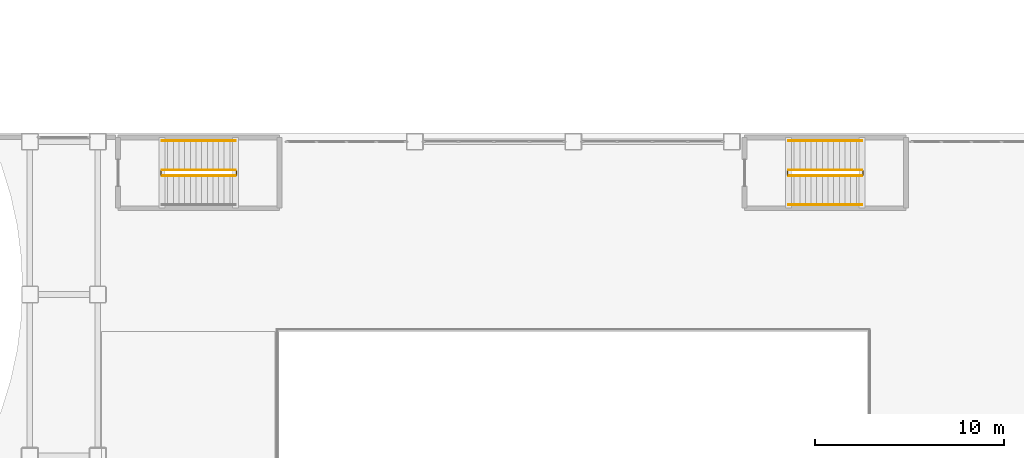
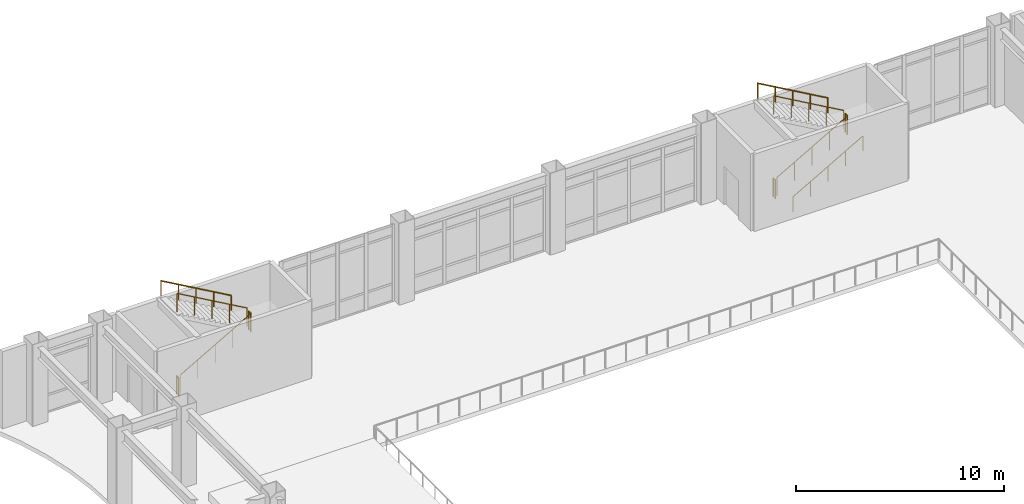
# One storey, part 162 of 172: 11 railings.
"""IFC4 building model written with IfcOpenShell, lengths in metres."""

from ifc_helpers import new_model, si_unit, direction, frame, origin, origin_2d, place, context, subcontext, project, spatial, circle, extrude, material, type_object, element, save


model = new_model("IFC4")

# Units and contexts
model_context = context("Model", 3, precision=1e-05, world=origin(), true_north=direction((0.0, 1.0)))
body_context = subcontext(model_context, "Body", "Model", "MODEL_VIEW")
ifc_project = project(units=[si_unit("LENGTHUNIT", "METRE"), si_unit("AREAUNIT", "SQUARE_METRE"), si_unit("VOLUMEUNIT", "CUBIC_METRE"), si_unit("PLANEANGLEUNIT", "RADIAN"), si_unit("MASSUNIT", "GRAM", prefix="KILO")], contexts=[model_context])

# Site, building, storey
site_placement = place(None, origin())
site = spatial("IfcSite", under=ifc_project, at=site_placement, CompositionType="ELEMENT")
building_placement = place(site_placement, origin())
building = spatial("IfcBuilding", under=site, at=building_placement, Name="Kazehara Bluff Congress Hotel", CompositionType="ELEMENT")
storey_placement = place(building_placement, frame((0.0, 0.0, 5.39990234375)))
storey = spatial("IfcBuildingStorey", under=building, at=storey_placement, Name="L01", CompositionType="ELEMENT", Elevation=5.39990234375)

# Railings
ifc_material_1 = material(Name="Brushed stainless steel", Category="steel")
railing_type_1 = type_object("IfcRailingType", Name="TP-GRD-INT", PredefinedType="GUARDRAIL", material=ifc_material_1)
railing_1_placement = place(storey_placement, frame((11.800048828125, 111.75, 0.171630859375)))
element("IfcRailing", 1, at=railing_1_placement, inside=storey, type_object=railing_type_1, Name="L01 ST-01 stair guard 1", PredefinedType="GUARDRAIL", context=body_context, shape_type="SweptSolid", body=[
    extrude(circle(Radius=0.02392578125, at=origin_2d()), frame((0.0, 0.0, 1.076171875), z_axis=(0.868243142124, 0.0, 0.496138938357), x_axis=(0.0, 1.0, 0.0)), (0.0, 0.0, 1.0), 4.49169921875),
    extrude(circle(Radius=0.02099609375, at=origin_2d()), origin(), (0.0, 0.0, 1.0), 1.052001953125),
    extrude(circle(Radius=0.02099609375, at=origin_2d()), frame((0.97509765625, 0.0, 0.55712890625)), (0.0, 0.0, 1.0), 1.052001953125),
    extrude(circle(Radius=0.02099609375, at=origin_2d()), frame((1.949951171875, 0.0, 1.1142578125)), (0.0, 0.0, 1.0), 1.052001953125),
    extrude(circle(Radius=0.02099609375, at=origin_2d()), frame((2.9248046875, 0.0, 1.67138671875)), (0.0, 0.0, 1.0), 1.052001953125),
    extrude(circle(Radius=0.02099609375, at=origin_2d()), frame((3.89990234375, 0.0, 2.228515625)), (0.0, 0.0, 1.0), 1.052001953125),
])
railing_2_placement = place(storey_placement, frame((15.75, 111.800048828125, 2.400146484375)))
element("IfcRailing", 2, at=railing_2_placement, inside=storey, type_object=railing_type_1, Name="L01 ST-01 stair guard 2", PredefinedType="GUARDRAIL", context=body_context, shape_type="SweptSolid", body=[
    extrude(circle(Radius=0.02392578125, at=origin_2d()), frame((0.0, 0.0, 1.076171875), z_axis=(0.0, 1.0, 0.0), x_axis=(-1.0, 0.0, 0.0)), (0.0, 0.0, 1.0), 0.199951171875),
    extrude(circle(Radius=0.02099609375, at=origin_2d()), origin(), (0.0, 0.0, 1.0), 1.052001953125),
    extrude(circle(Radius=0.02099609375, at=origin_2d()), frame((0.0, 0.199951171875, 0.0)), (0.0, 0.0, 1.0), 1.052001953125),
])
railing_3_placement = place(storey_placement, frame((15.699951171875, 112.050048828125, 2.571533203125)))
element("IfcRailing", 3, at=railing_3_placement, inside=storey, type_object=railing_type_1, Name="L01 ST-01 stair guard 3", PredefinedType="GUARDRAIL", context=body_context, shape_type="SweptSolid", body=[
    extrude(circle(Radius=0.02392578125, at=origin_2d()), frame((0.0, 0.0, 1.076171875), z_axis=(-0.868243142124, 0.0, 0.496138938357), x_axis=(0.0, -1.0, 0.0)), (0.0, 0.0, 1.0), 4.49169921875),
    extrude(circle(Radius=0.02099609375, at=origin_2d()), origin(), (0.0, 0.0, 1.0), 1.052001953125),
    extrude(circle(Radius=0.02099609375, at=origin_2d()), frame((-0.97509765625, 0.0, 0.55712890625)), (0.0, 0.0, 1.0), 1.052001953125),
    extrude(circle(Radius=0.02099609375, at=origin_2d()), frame((-1.949951171875, 0.0, 1.1142578125)), (0.0, 0.0, 1.0), 1.052001953125),
    extrude(circle(Radius=0.02099609375, at=origin_2d()), frame((-2.9248046875, 0.0, 1.67138671875)), (0.0, 0.0, 1.0), 1.052001953125),
    extrude(circle(Radius=0.02099609375, at=origin_2d()), frame((-3.89990234375, 0.0, 2.228515625)), (0.0, 0.0, 1.0), 1.052001953125),
])
railing_4_placement = place(storey_placement, frame((11.75, 111.800048828125, 0.0)))
element("IfcRailing", 4, at=railing_4_placement, inside=storey, type_object=railing_type_1, Name="L01 ST-01 stair guard 4", PredefinedType="GUARDRAIL", context=body_context, shape_type="SweptSolid", body=[
    extrude(circle(Radius=0.02392578125, at=origin_2d()), frame((0.0, 0.0, 1.076171875), z_axis=(0.0, 1.0, 0.0), x_axis=(-1.0, 0.0, 0.0)), (0.0, 0.0, 1.0), 0.199951171875),
    extrude(circle(Radius=0.02099609375, at=origin_2d()), origin(), (0.0, 0.0, 1.0), 1.052001953125),
    extrude(circle(Radius=0.02099609375, at=origin_2d()), frame((0.0, 0.199951171875, 0.0)), (0.0, 0.0, 1.0), 1.052001953125),
])
railing_5_placement = place(storey_placement, frame((45.0, 111.75, 0.171630859375)))
element("IfcRailing", 5, at=railing_5_placement, inside=storey, type_object=railing_type_1, Name="L01 ST-02 stair guard 1", PredefinedType="GUARDRAIL", context=body_context, shape_type="SweptSolid", body=[
    extrude(circle(Radius=0.02392578125, at=origin_2d()), frame((0.0, 0.0, 1.076171875), z_axis=(0.868243142124, 0.0, 0.496138938357), x_axis=(0.0, 1.0, 0.0)), (0.0, 0.0, 1.0), 4.49169921875),
    extrude(circle(Radius=0.02099609375, at=origin_2d()), origin(), (0.0, 0.0, 1.0), 1.052001953125),
    extrude(circle(Radius=0.02099609375, at=origin_2d()), frame((0.97509765625, 0.0, 0.55712890625)), (0.0, 0.0, 1.0), 1.052001953125),
    extrude(circle(Radius=0.02099609375, at=origin_2d()), frame((1.949951171875, 0.0, 1.1142578125)), (0.0, 0.0, 1.0), 1.052001953125),
    extrude(circle(Radius=0.02099609375, at=origin_2d()), frame((2.9248046875, 0.0, 1.67138671875)), (0.0, 0.0, 1.0), 1.052001953125),
    extrude(circle(Radius=0.02099609375, at=origin_2d()), frame((3.89990234375, 0.0, 2.228515625)), (0.0, 0.0, 1.0), 1.052001953125),
])
railing_6_placement = place(storey_placement, frame((48.949951171875, 111.800048828125, 2.400146484375)))
element("IfcRailing", 6, at=railing_6_placement, inside=storey, type_object=railing_type_1, Name="L01 ST-02 stair guard 2", PredefinedType="GUARDRAIL", context=body_context, shape_type="SweptSolid", body=[
    extrude(circle(Radius=0.02392578125, at=origin_2d()), frame((0.0, 0.0, 1.076171875), z_axis=(0.0, 1.0, 0.0), x_axis=(-1.0, 0.0, 0.0)), (0.0, 0.0, 1.0), 0.199951171875),
    extrude(circle(Radius=0.02099609375, at=origin_2d()), origin(), (0.0, 0.0, 1.0), 1.052001953125),
    extrude(circle(Radius=0.02099609375, at=origin_2d()), frame((0.0, 0.199951171875, 0.0)), (0.0, 0.0, 1.0), 1.052001953125),
])
railing_7_placement = place(storey_placement, frame((48.89990234375, 112.050048828125, 2.571533203125)))
element("IfcRailing", 7, at=railing_7_placement, inside=storey, type_object=railing_type_1, Name="L01 ST-02 stair guard 3", PredefinedType="GUARDRAIL", context=body_context, shape_type="SweptSolid", body=[
    extrude(circle(Radius=0.02392578125, at=origin_2d()), frame((0.0, 0.0, 1.076171875), z_axis=(-0.868243142124, 0.0, 0.496138938357), x_axis=(0.0, -1.0, 0.0)), (0.0, 0.0, 1.0), 4.49169921875),
    extrude(circle(Radius=0.02099609375, at=origin_2d()), origin(), (0.0, 0.0, 1.0), 1.052001953125),
    extrude(circle(Radius=0.02099609375, at=origin_2d()), frame((-0.97509765625, 0.0, 0.55712890625)), (0.0, 0.0, 1.0), 1.052001953125),
    extrude(circle(Radius=0.02099609375, at=origin_2d()), frame((-1.949951171875, 0.0, 1.1142578125)), (0.0, 0.0, 1.0), 1.052001953125),
    extrude(circle(Radius=0.02099609375, at=origin_2d()), frame((-2.9248046875, 0.0, 1.67138671875)), (0.0, 0.0, 1.0), 1.052001953125),
    extrude(circle(Radius=0.02099609375, at=origin_2d()), frame((-3.89990234375, 0.0, 2.228515625)), (0.0, 0.0, 1.0), 1.052001953125),
])
railing_8_placement = place(storey_placement, frame((44.949951171875, 111.800048828125, 0.0)))
element("IfcRailing", 8, at=railing_8_placement, inside=storey, type_object=railing_type_1, Name="L01 ST-02 stair guard 4", PredefinedType="GUARDRAIL", context=body_context, shape_type="SweptSolid", body=[
    extrude(circle(Radius=0.02392578125, at=origin_2d()), frame((0.0, 0.0, 1.076171875), z_axis=(0.0, 1.0, 0.0), x_axis=(-1.0, 0.0, 0.0)), (0.0, 0.0, 1.0), 0.199951171875),
    extrude(circle(Radius=0.02099609375, at=origin_2d()), origin(), (0.0, 0.0, 1.0), 1.052001953125),
    extrude(circle(Radius=0.02099609375, at=origin_2d()), frame((0.0, 0.199951171875, 0.0)), (0.0, 0.0, 1.0), 1.052001953125),
])
ifc_material_2 = material(Name="Brushed stainless steel", Category="steel")
railing_type_2 = type_object("IfcRailingType", Name="TP-HR-INT", PredefinedType="HANDRAIL", material=ifc_material_2)
railing_9_placement = place(storey_placement, frame((15.699951171875, 113.60009765625, 2.571533203125)))
element("IfcRailing", 9, at=railing_9_placement, inside=storey, type_object=railing_type_2, Name="L01 ST-01 stair handrail 2", PredefinedType="HANDRAIL", context=body_context, shape_type="SweptSolid", body=[
    extrude(circle(Radius=0.02392578125, at=origin_2d()), frame((0.0, 0.0, 0.8759765625), z_axis=(-0.868243142124, 0.0, 0.496138938357), x_axis=(0.0, -1.0, 0.0)), (0.0, 0.0, 1.0), 4.49169921875),
    extrude(circle(Radius=0.02099609375, at=origin_2d()), origin(), (0.0, 0.0, 1.0), 0.851806640625),
    extrude(circle(Radius=0.02099609375, at=origin_2d()), frame((-0.97509765625, 0.0, 0.55712890625)), (0.0, 0.0, 1.0), 0.851806640625),
    extrude(circle(Radius=0.02099609375, at=origin_2d()), frame((-1.949951171875, 0.0, 1.1142578125)), (0.0, 0.0, 1.0), 0.851806640625),
    extrude(circle(Radius=0.02099609375, at=origin_2d()), frame((-2.9248046875, 0.0, 1.67138671875)), (0.0, 0.0, 1.0), 0.851806640625),
    extrude(circle(Radius=0.02099609375, at=origin_2d()), frame((-3.89990234375, 0.0, 2.228515625)), (0.0, 0.0, 1.0), 0.851806640625),
])
railing_10_placement = place(storey_placement, frame((45.0, 110.199951171875, 0.171630859375)))
element("IfcRailing", 10, at=railing_10_placement, inside=storey, type_object=railing_type_2, Name="L01 ST-02 stair handrail 1", PredefinedType="HANDRAIL", context=body_context, shape_type="SweptSolid", body=[
    extrude(circle(Radius=0.02392578125, at=origin_2d()), frame((0.0, 0.0, 0.8759765625), z_axis=(0.868243142124, 0.0, 0.496138938357), x_axis=(0.0, 1.0, 0.0)), (0.0, 0.0, 1.0), 4.49169921875),
    extrude(circle(Radius=0.02099609375, at=origin_2d()), origin(), (0.0, 0.0, 1.0), 0.851806640625),
    extrude(circle(Radius=0.02099609375, at=origin_2d()), frame((0.97509765625, 0.0, 0.55712890625)), (0.0, 0.0, 1.0), 0.851806640625),
    extrude(circle(Radius=0.02099609375, at=origin_2d()), frame((1.949951171875, 0.0, 1.1142578125)), (0.0, 0.0, 1.0), 0.851806640625),
    extrude(circle(Radius=0.02099609375, at=origin_2d()), frame((2.9248046875, 0.0, 1.67138671875)), (0.0, 0.0, 1.0), 0.851806640625),
    extrude(circle(Radius=0.02099609375, at=origin_2d()), frame((3.89990234375, 0.0, 2.228515625)), (0.0, 0.0, 1.0), 0.851806640625),
])
railing_11_placement = place(storey_placement, frame((48.89990234375, 113.60009765625, 2.571533203125)))
element("IfcRailing", 11, at=railing_11_placement, inside=storey, type_object=railing_type_2, Name="L01 ST-02 stair handrail 2", PredefinedType="HANDRAIL", context=body_context, shape_type="SweptSolid", body=[
    extrude(circle(Radius=0.02392578125, at=origin_2d()), frame((0.0, 0.0, 0.8759765625), z_axis=(-0.868243142124, 0.0, 0.496138938357), x_axis=(0.0, -1.0, 0.0)), (0.0, 0.0, 1.0), 4.49169921875),
    extrude(circle(Radius=0.02099609375, at=origin_2d()), origin(), (0.0, 0.0, 1.0), 0.851806640625),
    extrude(circle(Radius=0.02099609375, at=origin_2d()), frame((-0.97509765625, 0.0, 0.55712890625)), (0.0, 0.0, 1.0), 0.851806640625),
    extrude(circle(Radius=0.02099609375, at=origin_2d()), frame((-1.949951171875, 0.0, 1.1142578125)), (0.0, 0.0, 1.0), 0.851806640625),
    extrude(circle(Radius=0.02099609375, at=origin_2d()), frame((-2.9248046875, 0.0, 1.67138671875)), (0.0, 0.0, 1.0), 0.851806640625),
    extrude(circle(Radius=0.02099609375, at=origin_2d()), frame((-3.89990234375, 0.0, 2.228515625)), (0.0, 0.0, 1.0), 0.851806640625),
])

save(model, "model.ifc")
